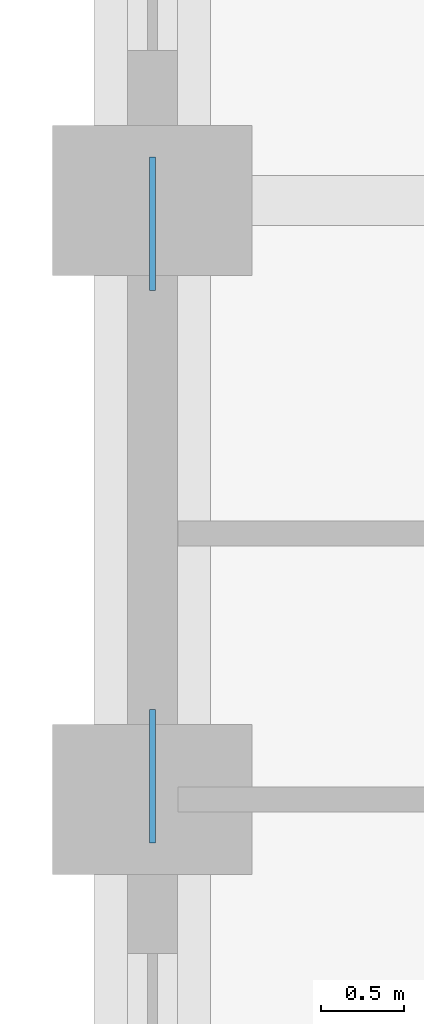
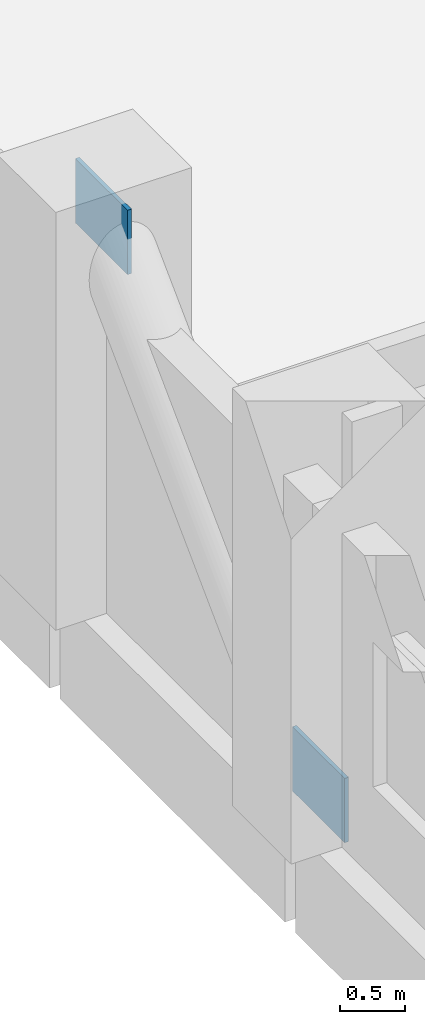
# One storey, part 3 of 12: 2 plates.
"""IFC4 building model written with IfcOpenShell, lengths in metres."""

from ifc_helpers import new_model, si_unit, direction, frame, origin, origin_2d, place, context, subcontext, project, spatial, rectangle, extrude, material, layer, layer_set, type_object, element, save


model = new_model("IFC4")

# Units and contexts
model_context = context("Model", 3, precision=1e-05, world=origin(), true_north=direction((0.0, 1.0)))
body_context = subcontext(model_context, "Body", "Model", "MODEL_VIEW")
ifc_project = project(units=[si_unit("LENGTHUNIT", "METRE"), si_unit("AREAUNIT", "SQUARE_METRE"), si_unit("VOLUMEUNIT", "CUBIC_METRE"), si_unit("PLANEANGLEUNIT", "RADIAN"), si_unit("MASSUNIT", "GRAM", prefix="KILO")], contexts=[model_context])

# Site, building, storey
site_placement = place(None, origin())
site = spatial("IfcSite", under=ifc_project, at=site_placement, CompositionType="ELEMENT")
building_placement = place(site_placement, origin())
building = spatial("IfcBuilding", under=site, at=building_placement, Name="Solnavia Interchange Tower", CompositionType="ELEMENT")
storey_placement = place(building_placement, frame((0.0, 0.0, 31.800048828125)))
storey = spatial("IfcBuildingStorey", under=building, at=storey_placement, Name="L07", CompositionType="ELEMENT", Elevation=31.800048828125)

# Plates
ifc_material = material(Name="Steel S460", Category="steel")
ifc_layer = layer(ifc_material, 0.035888671875)
ifc_layer_set = layer_set([ifc_layer], Name="Steel S460")
plate_type = type_object("IfcPlateType", Name="Plate-Gusset-800x600x36", PredefinedType="USERDEFINED", material=ifc_layer_set)
for number, where, z_axis, x_axis, name in (
    (1, (7.199951171875, 25.340087890625, -0.1201171875), (0.0, 0.0, 1.0), (0.0, 1.0, 0.0), "PLT-L07-GP01 Perimeter brace gusset plate"),
    (2, (7.199951171875, 28.659912109375, 3.169921875), (0.0, 0.0, 1.0), (0.0, 1.0, 0.0), "PLT-L07-GP02 Perimeter brace gusset plate"),
):
    element("IfcPlate", number, at=place(storey_placement, frame(where, z_axis=z_axis, x_axis=x_axis)), inside=storey, type_object=plate_type, Name=name, ObjectType="GUSSET PLATE", PredefinedType="USERDEFINED", context=body_context, shape_type="SweptSolid", body=[
        extrude(rectangle(XDim=0.800048828125, YDim=0.035888671875, at=origin_2d()), origin(), (0.0, 0.0, 1.0), 0.60009765625),
    ])

save(model, "model.ifc")
